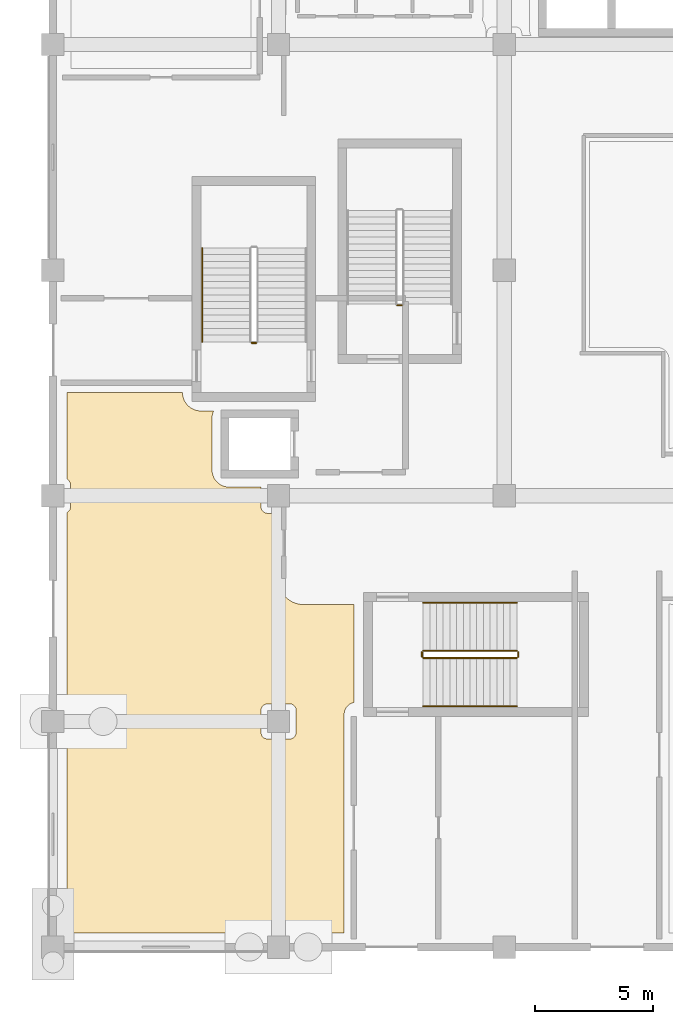
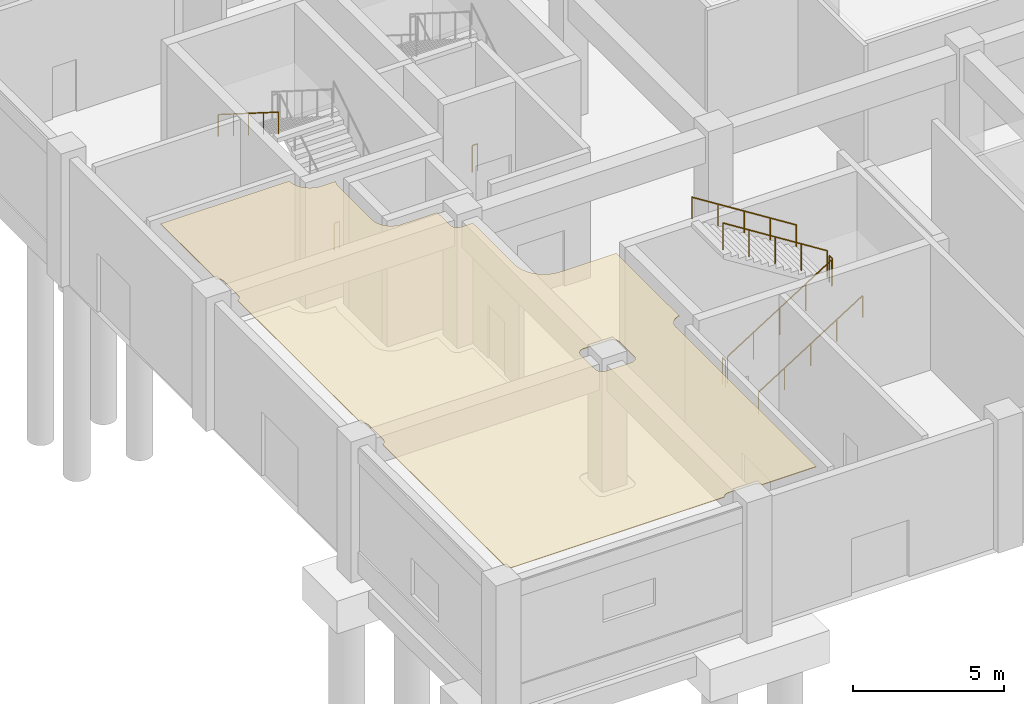
# One storey, part 44 of 74: 9 railings, 1 covering.
"""IFC4 building model written with IfcOpenShell, lengths in metres."""

from ifc_helpers import new_model, si_unit, direction, frame, origin, origin_2d, place, context, subcontext, project, spatial, polyline, circle, outline, extrude, material, layer, layer_set, type_object, element, save


model = new_model("IFC4")

# Units and contexts
model_context = context("Model", 3, precision=1e-05, world=origin(), true_north=direction((0.0, 1.0)))
body_context = subcontext(model_context, "Body", "Model", "MODEL_VIEW")
ifc_project = project(units=[si_unit("LENGTHUNIT", "METRE"), si_unit("AREAUNIT", "SQUARE_METRE"), si_unit("VOLUMEUNIT", "CUBIC_METRE"), si_unit("PLANEANGLEUNIT", "RADIAN"), si_unit("MASSUNIT", "GRAM", prefix="KILO")], contexts=[model_context])

# Site, building, storey
site_placement = place(None, origin())
site = spatial("IfcSite", under=ifc_project, at=site_placement, CompositionType="ELEMENT")
building_placement = place(site_placement, origin())
building = spatial("IfcBuilding", under=site, at=building_placement, Name="Cendralis Terraced Arcade", CompositionType="ELEMENT")
storey_placement = place(building_placement, origin())
storey = spatial("IfcBuildingStorey", under=building, at=storey_placement, Name="L00", CompositionType="ELEMENT", Elevation=0.0)

# Covering
ifc_material_1 = material(Name="Gypsum plasterboard acoustic partition")
ifc_layer = layer(ifc_material_1, 0.02490234375, Name="COV-CEIL-ACOU-25")
ifc_layer_set = layer_set([ifc_layer], Name="Gypsum plasterboard acoustic partition")
covering_type = type_object("IfcCoveringType", Name="COV-CEIL-ACOU-25", PredefinedType="CEILING", material=ifc_layer_set)
covering_placement = place(storey_placement, frame((0.0, 0.0, 5.06494140625)))
element("IfcCovering", 1, at=covering_placement, inside=storey, type_object=covering_type, Name="Acoustic Soffit Ceiling L00-028", PredefinedType="CEILING", context=body_context, shape_type="SweptSolid", body=[
    extrude(outline(polyline([(0.718505859375, 0.59130859375), (0.70703125, 0.613037109375), (0.7060546875, 0.614501953125), (0.6923828125, 0.635009765625), (0.69140625, 0.63671875), (0.67578125, 0.655517578125), (0.67431640625, 0.656982421875), (0.656982421875, 0.67431640625), (0.655517578125, 0.67578125), (0.63671875, 0.69140625), (0.635009765625, 0.6923828125), (0.614501953125, 0.7060546875), (0.613037109375, 0.70703125), (0.59130859375, 0.718505859375), (0.590087890625, 0.71923828125), (0.590087890625, 8.880615234375), (0.59130859375, 8.88134765625), (0.613037109375, 8.892822265625), (0.614501953125, 8.893798828125), (0.635009765625, 8.90771484375), (0.63671875, 8.90869140625), (0.655517578125, 8.92431640625), (0.656982421875, 8.925537109375), (0.67431640625, 8.943115234375), (0.67578125, 8.9443359375), (0.69140625, 8.96337890625), (0.6923828125, 8.965087890625), (0.7060546875, 8.9853515625), (0.70703125, 8.987060546875), (0.718505859375, 9.0087890625), (0.719482421875, 9.010498046875), (0.72900390625, 9.033203125), (0.7294921875, 9.034912109375), (0.736572265625, 9.058349609375), (0.737060546875, 9.060302734375), (0.741943359375, 9.08447265625), (0.7421875, 9.08642578125), (0.74462890625, 9.11083984375), (0.74462890625, 9.11279296875), (0.7451171875, 9.125), (0.7451171875, 10.074951171875), (0.74462890625, 10.08740234375), (0.74462890625, 10.089111328125), (0.7421875, 10.113525390625), (0.741943359375, 10.115478515625), (0.737060546875, 10.1396484375), (0.736572265625, 10.1416015625), (0.7294921875, 10.1650390625), (0.72900390625, 10.1669921875), (0.719482421875, 10.189453125), (0.718505859375, 10.19140625), (0.70703125, 10.212890625), (0.7060546875, 10.214599609375), (0.6923828125, 10.235107421875), (0.69140625, 10.236572265625), (0.67578125, 10.255615234375), (0.67431640625, 10.257080078125), (0.656982421875, 10.2744140625), (0.655517578125, 10.275634765625), (0.63671875, 10.291259765625), (0.635009765625, 10.29248046875), (0.614501953125, 10.30615234375), (0.613037109375, 10.30712890625), (0.59130859375, 10.318603515625), (0.590087890625, 10.3193359375), (0.590087890625, 18.480712890625), (0.59130859375, 18.4814453125), (0.613037109375, 18.492919921875), (0.614501953125, 18.493896484375), (0.635009765625, 18.507568359375), (0.63671875, 18.5087890625), (0.655517578125, 18.5244140625), (0.656982421875, 18.525634765625), (0.67431640625, 18.54296875), (0.67578125, 18.54443359375), (0.69140625, 18.5634765625), (0.6923828125, 18.56494140625), (0.7060546875, 18.58544921875), (0.70703125, 18.5869140625), (0.718505859375, 18.608642578125), (0.719482421875, 18.610595703125), (0.72900390625, 18.633056640625), (0.7294921875, 18.635009765625), (0.736572265625, 18.658447265625), (0.737060546875, 18.660400390625), (0.741943359375, 18.684326171875), (0.7421875, 18.686279296875), (0.74462890625, 18.710693359375), (0.74462890625, 18.712646484375), (0.7451171875, 18.72509765625), (0.7451171875, 19.675048828125), (0.74462890625, 19.687255859375), (0.74462890625, 19.689208984375), (0.7421875, 19.713623046875), (0.741943359375, 19.715576171875), (0.737060546875, 19.739501953125), (0.736572265625, 19.74169921875), (0.7294921875, 19.764892578125), (0.72900390625, 19.766845703125), (0.719482421875, 19.78955078125), (0.718505859375, 19.791259765625), (0.70703125, 19.81298828125), (0.7060546875, 19.814697265625), (0.6923828125, 19.8349609375), (0.69140625, 19.836669921875), (0.67578125, 19.855712890625), (0.67431640625, 19.85693359375), (0.656982421875, 19.87451171875), (0.655517578125, 19.875732421875), (0.63671875, 19.891357421875), (0.635009765625, 19.892333984375), (0.614501953125, 19.906005859375), (0.613037109375, 19.906982421875), (0.59130859375, 19.918701171875), (0.590087890625, 19.919189453125), (0.590087890625, 23.590087890625), (5.51025390625, 23.590087890625), (5.51025390625, 23.587890625), (5.510498046875, 23.581787109375), (5.512451171875, 23.540771484375), (5.513427734375, 23.5283203125), (5.514404296875, 23.5166015625), (5.51611328125, 23.50439453125), (5.522216796875, 23.4638671875), (5.524169921875, 23.45166015625), (5.526611328125, 23.440185546875), (5.529296875, 23.42822265625), (5.539306640625, 23.38818359375), (5.54248046875, 23.37646484375), (5.5458984375, 23.364990234375), (5.5498046875, 23.353515625), (5.563720703125, 23.314697265625), (5.568115234375, 23.30322265625), (5.572509765625, 23.292236328125), (5.577392578125, 23.281005859375), (5.59521484375, 23.243896484375), (5.6005859375, 23.23291015625), (5.606201171875, 23.222412109375), (5.6123046875, 23.2119140625), (5.63330078125, 23.176513671875), (5.639892578125, 23.166015625), (5.646484375, 23.15625), (5.653564453125, 23.146240234375), (5.677978515625, 23.113037109375), (5.685791015625, 23.103515625), (5.693115234375, 23.094482421875), (5.701171875, 23.085205078125), (5.72900390625, 23.054443359375), (5.7373046875, 23.045654296875), (5.74560546875, 23.037353515625), (5.75439453125, 23.02880859375), (5.78515625, 23.001220703125), (5.79443359375, 22.9931640625), (5.803466796875, 22.985595703125), (5.81298828125, 22.97802734375), (5.84619140625, 22.95361328125), (5.856201171875, 22.946533203125), (5.8662109375, 22.93994140625), (5.87646484375, 22.933349609375), (5.911865234375, 22.912109375), (5.922607421875, 22.90625), (5.932861328125, 22.900634765625), (5.94384765625, 22.89501953125), (5.981201171875, 22.87744140625), (5.9921875, 22.87255859375), (6.003173828125, 22.867919921875), (6.0146484375, 22.863525390625), (6.053466796875, 22.849609375), (6.065185546875, 22.845947265625), (6.076416015625, 22.84228515625), (6.088134765625, 22.839111328125), (6.128173828125, 22.8291015625), (6.14013671875, 22.826416015625), (6.151611328125, 22.82421875), (6.163818359375, 22.822021484375), (6.20458984375, 22.81591796875), (6.216796875, 22.814453125), (6.228515625, 22.8134765625), (6.24072265625, 22.8125), (6.28173828125, 22.810302734375), (6.2880859375, 22.810302734375), (6.2939453125, 22.81005859375), (6.300048828125, 22.81005859375), (6.839599609375, 22.81005859375), (6.8330078125, 22.7958984375), (6.827880859375, 22.78466796875), (6.823486328125, 22.77392578125), (6.819091796875, 22.762451171875), (6.80712890625, 22.729248046875), (6.80322265625, 22.717529296875), (6.7998046875, 22.706298828125), (6.796630859375, 22.6943359375), (6.7880859375, 22.66015625), (6.785400390625, 22.648193359375), (6.782958984375, 22.63671875), (6.781005859375, 22.62451171875), (6.775634765625, 22.589599609375), (6.774169921875, 22.577392578125), (6.773193359375, 22.565673828125), (6.772216796875, 22.553466796875), (6.7705078125, 22.518310546875), (6.770263671875, 22.511962890625), (6.77001953125, 22.506103515625), (6.77001953125, 22.5), (6.77001953125, 20.300048828125), (6.77001953125, 20.2939453125), (6.770263671875, 20.2880859375), (6.7705078125, 20.28173828125), (6.772216796875, 20.24658203125), (6.773193359375, 20.234375), (6.774169921875, 20.22265625), (6.775634765625, 20.21044921875), (6.781005859375, 20.175537109375), (6.782958984375, 20.163330078125), (6.785400390625, 20.15185546875), (6.7880859375, 20.139892578125), (6.796630859375, 20.105712890625), (6.7998046875, 20.09375), (6.80322265625, 20.08251953125), (6.80712890625, 20.07080078125), (6.819091796875, 20.03759765625), (6.823486328125, 20.026123046875), (6.827880859375, 20.015380859375), (6.8330078125, 20.00390625), (6.847900390625, 19.97216796875), (6.853515625, 19.961181640625), (6.859130859375, 19.95068359375), (6.864990234375, 19.940185546875), (6.88330078125, 19.909912109375), (6.889892578125, 19.8994140625), (6.896484375, 19.8896484375), (6.903564453125, 19.879638671875), (6.924560546875, 19.851318359375), (6.93212890625, 19.841552734375), (6.939453125, 19.83251953125), (6.947509765625, 19.822998046875), (6.97119140625, 19.797119140625), (6.979736328125, 19.7880859375), (6.988037109375, 19.77978515625), (6.9970703125, 19.771240234375), (7.023193359375, 19.74755859375), (7.032470703125, 19.739501953125), (7.04150390625, 19.732177734375), (7.05126953125, 19.724609375), (7.07958984375, 19.70361328125), (7.089599609375, 19.6962890625), (7.099365234375, 19.68994140625), (7.10986328125, 19.683349609375), (7.14013671875, 19.6650390625), (7.15087890625, 19.6591796875), (7.1611328125, 19.653564453125), (7.172119140625, 19.64794921875), (7.2041015625, 19.6328125), (7.21533203125, 19.6279296875), (7.22607421875, 19.623291015625), (7.237548828125, 19.618896484375), (7.270751953125, 19.607177734375), (7.282470703125, 19.603271484375), (7.293701171875, 19.599853515625), (7.3056640625, 19.5966796875), (7.33984375, 19.587890625), (7.351806640625, 19.585205078125), (7.36328125, 19.5830078125), (7.37548828125, 19.580810546875), (7.410400390625, 19.57568359375), (7.422607421875, 19.57421875), (7.434326171875, 19.572998046875), (7.446533203125, 19.572265625), (7.481689453125, 19.5703125), (7.488037109375, 19.5703125), (7.493896484375, 19.570068359375), (7.5, 19.570068359375), (8.85498046875, 19.570068359375), (8.85498046875, 18.72509765625), (8.855224609375, 18.712646484375), (8.85546875, 18.710693359375), (8.85791015625, 18.686279296875), (8.858154296875, 18.684326171875), (8.86279296875, 18.660400390625), (8.86328125, 18.658447265625), (8.87060546875, 18.635009765625), (8.87109375, 18.633056640625), (8.880615234375, 18.610595703125), (8.88134765625, 18.608642578125), (8.892822265625, 18.5869140625), (8.893798828125, 18.58544921875), (8.90771484375, 18.56494140625), (8.90869140625, 18.5634765625), (8.92431640625, 18.54443359375), (8.925537109375, 18.54296875), (8.943115234375, 18.525634765625), (8.9443359375, 18.5244140625), (8.96337890625, 18.5087890625), (8.965087890625, 18.507568359375), (8.9853515625, 18.493896484375), (8.987060546875, 18.492919921875), (9.0087890625, 18.4814453125), (9.010498046875, 18.48046875), (9.033203125, 18.47119140625), (9.034912109375, 18.470458984375), (9.058349609375, 18.46337890625), (9.060302734375, 18.462890625), (9.08447265625, 18.4580078125), (9.08642578125, 18.457763671875), (9.11083984375, 18.455322265625), (9.11279296875, 18.455322265625), (9.125, 18.455078125), (9.570068359375, 18.455078125), (9.570068359375, 15.679931640625), (9.570068359375, 15.677001953125), (9.570068359375, 15.674072265625), (9.570068359375, 15.6708984375), (9.5703125, 15.6650390625), (9.5703125, 15.662109375), (9.570556640625, 15.658935546875), (9.570556640625, 15.656005859375), (9.573486328125, 15.59521484375), (9.573974609375, 15.589111328125), (9.574462890625, 15.583251953125), (9.574951171875, 15.5771484375), (9.576171875, 15.5654296875), (9.57666015625, 15.559326171875), (9.577392578125, 15.553466796875), (9.578369140625, 15.54736328125), (9.587158203125, 15.487060546875), (9.588134765625, 15.481201171875), (9.589111328125, 15.475341796875), (9.59033203125, 15.46923828125), (9.592529296875, 15.457763671875), (9.593994140625, 15.45166015625), (9.59521484375, 15.446044921875), (9.5966796875, 15.43994140625), (9.611328125, 15.381103515625), (9.61279296875, 15.375), (9.614501953125, 15.369384765625), (9.6162109375, 15.363525390625), (9.61962890625, 15.352294921875), (9.62158203125, 15.34619140625), (9.623291015625, 15.3408203125), (9.625244140625, 15.3349609375), (9.645751953125, 15.277587890625), (9.64794921875, 15.27197265625), (9.650146484375, 15.266357421875), (9.65234375, 15.2607421875), (9.656982421875, 15.249755859375), (9.6591796875, 15.244140625), (9.66162109375, 15.23876953125), (9.664306640625, 15.233154296875), (9.690185546875, 15.17822265625), (9.69287109375, 15.172607421875), (9.695556640625, 15.16748046875), (9.698486328125, 15.162109375), (9.7041015625, 15.151611328125), (9.706787109375, 15.146240234375), (9.709716796875, 15.14111328125), (9.712890625, 15.1357421875), (9.744140625, 15.08349609375), (9.747314453125, 15.078369140625), (9.75048828125, 15.073486328125), (9.75390625, 15.068359375), (9.760498046875, 15.05859375), (9.763916015625, 15.053466796875), (9.767333984375, 15.048583984375), (9.77099609375, 15.043701171875), (9.80712890625, 14.994873046875), (9.810791015625, 14.989990234375), (9.814453125, 14.9853515625), (9.818359375, 14.98046875), (9.82568359375, 14.971435546875), (9.829833984375, 14.966796875), (9.83349609375, 14.962158203125), (9.837646484375, 14.95751953125), (9.87841796875, 14.91259765625), (9.8828125, 14.907958984375), (9.88671875, 14.90380859375), (9.89111328125, 14.8994140625), (9.8994140625, 14.89111328125), (9.90380859375, 14.88671875), (9.907958984375, 14.8828125), (9.91259765625, 14.87841796875), (9.95751953125, 14.837646484375), (9.962158203125, 14.83349609375), (9.966796875, 14.829833984375), (9.971435546875, 14.82568359375), (9.98046875, 14.818359375), (9.9853515625, 14.814453125), (9.989990234375, 14.810791015625), (9.994873046875, 14.80712890625), (10.043701171875, 14.77099609375), (10.048583984375, 14.767333984375), (10.053466796875, 14.763916015625), (10.05859375, 14.760498046875), (10.068359375, 14.75390625), (10.073486328125, 14.75048828125), (10.078369140625, 14.747314453125), (10.08349609375, 14.744140625), (10.1357421875, 14.712890625), (10.14111328125, 14.709716796875), (10.146240234375, 14.706787109375), (10.151611328125, 14.7041015625), (10.162109375, 14.698486328125), (10.16748046875, 14.695556640625), (10.172607421875, 14.69287109375), (10.17822265625, 14.690185546875), (10.233154296875, 14.664306640625), (10.23876953125, 14.66162109375), (10.244140625, 14.6591796875), (10.249755859375, 14.656982421875), (10.2607421875, 14.65234375), (10.266357421875, 14.650146484375), (10.27197265625, 14.64794921875), (10.277587890625, 14.645751953125), (10.3349609375, 14.625244140625), (10.3408203125, 14.623291015625), (10.34619140625, 14.62158203125), (10.352294921875, 14.61962890625), (10.363525390625, 14.6162109375), (10.369384765625, 14.614501953125), (10.375, 14.61279296875), (10.381103515625, 14.611328125), (10.43994140625, 14.5966796875), (10.446044921875, 14.59521484375), (10.45166015625, 14.593994140625), (10.457763671875, 14.592529296875), (10.46923828125, 14.59033203125), (10.475341796875, 14.589111328125), (10.481201171875, 14.588134765625), (10.487060546875, 14.587158203125), (10.54736328125, 14.578369140625), (10.553466796875, 14.577392578125), (10.559326171875, 14.57666015625), (10.5654296875, 14.576171875), (10.5771484375, 14.574951171875), (10.583251953125, 14.574462890625), (10.589111328125, 14.573974609375), (10.59521484375, 14.573486328125), (10.656005859375, 14.570556640625), (10.658935546875, 14.570556640625), (10.662109375, 14.5703125), (10.6650390625, 14.5703125), (10.6708984375, 14.570068359375), (10.674072265625, 14.570068359375), (10.677001953125, 14.570068359375), (10.679931640625, 14.570068359375), (12.81005859375, 14.570068359375), (12.81005859375, 10.40185546875), (12.806396484375, 10.401123046875), (12.794921875, 10.39892578125), (12.78271484375, 10.396240234375), (12.76953125, 10.392822265625), (12.757568359375, 10.3896484375), (12.746337890625, 10.38623046875), (12.734619140625, 10.38232421875), (12.7216796875, 10.377685546875), (12.710205078125, 10.373291015625), (12.699462890625, 10.368896484375), (12.688232421875, 10.36376953125), (12.67578125, 10.35791015625), (12.664794921875, 10.352294921875), (12.654541015625, 10.346923828125), (12.643798828125, 10.3408203125), (12.632080078125, 10.333740234375), (12.62158203125, 10.3271484375), (12.61181640625, 10.32080078125), (12.601806640625, 10.313720703125), (12.5908203125, 10.305419921875), (12.5810546875, 10.2978515625), (12.572021484375, 10.290283203125), (12.562744140625, 10.282470703125), (12.552490234375, 10.273193359375), (12.543701171875, 10.2646484375), (12.535400390625, 10.25634765625), (12.52685546875, 10.24755859375), (12.517578125, 10.2373046875), (12.509521484375, 10.22802734375), (12.502197265625, 10.218994140625), (12.49462890625, 10.209228515625), (12.486328125, 10.1982421875), (12.479248046875, 10.188232421875), (12.472900390625, 10.178466796875), (12.46630859375, 10.16796875), (12.459228515625, 10.15625), (12.453125, 10.1455078125), (12.447509765625, 10.13525390625), (12.442138671875, 10.124267578125), (12.436279296875, 10.11181640625), (12.43115234375, 10.1005859375), (12.4267578125, 10.089599609375), (12.42236328125, 10.078125), (12.417724609375, 10.065185546875), (12.413818359375, 10.0537109375), (12.410400390625, 10.04248046875), (12.406982421875, 10.030517578125), (12.40380859375, 10.01708984375), (12.401123046875, 10.005126953125), (12.398681640625, 9.99365234375), (12.396728515625, 9.981689453125), (12.394775390625, 9.968017578125), (12.393310546875, 9.955810546875), (12.39208984375, 9.944091796875), (12.39111328125, 9.931884765625), (12.390380859375, 9.918212890625), (12.39013671875, 9.912109375), (12.39013671875, 9.906005859375), (12.389892578125, 9.89990234375), (12.389892578125, 0.590087890625), (10.3193359375, 0.590087890625), (10.318603515625, 0.59130859375), (10.30712890625, 0.613037109375), (10.30615234375, 0.614501953125), (10.29248046875, 0.635009765625), (10.291259765625, 0.63671875), (10.275634765625, 0.655517578125), (10.2744140625, 0.656982421875), (10.257080078125, 0.67431640625), (10.255615234375, 0.67578125), (10.236572265625, 0.69140625), (10.235107421875, 0.6923828125), (10.214599609375, 0.7060546875), (10.212890625, 0.70703125), (10.19140625, 0.718505859375), (10.189453125, 0.719482421875), (10.1669921875, 0.72900390625), (10.1650390625, 0.7294921875), (10.1416015625, 0.736572265625), (10.1396484375, 0.737060546875), (10.115478515625, 0.741943359375), (10.113525390625, 0.7421875), (10.089111328125, 0.74462890625), (10.08740234375, 0.74462890625), (10.074951171875, 0.7451171875), (9.125, 0.7451171875), (9.11279296875, 0.74462890625), (9.11083984375, 0.74462890625), (9.08642578125, 0.7421875), (9.08447265625, 0.741943359375), (9.060302734375, 0.737060546875), (9.058349609375, 0.736572265625), (9.034912109375, 0.7294921875), (9.033203125, 0.72900390625), (9.010498046875, 0.719482421875), (9.0087890625, 0.718505859375), (8.987060546875, 0.70703125), (8.9853515625, 0.7060546875), (8.965087890625, 0.6923828125), (8.96337890625, 0.69140625), (8.9443359375, 0.67578125), (8.943115234375, 0.67431640625), (8.925537109375, 0.656982421875), (8.92431640625, 0.655517578125), (8.90869140625, 0.63671875), (8.90771484375, 0.635009765625), (8.893798828125, 0.614501953125), (8.892822265625, 0.613037109375), (8.88134765625, 0.59130859375), (8.880615234375, 0.590087890625), (0.71923828125, 0.590087890625), (0.718505859375, 0.59130859375)]), holes=[polyline([(8.9853515625, 8.893798828125), (8.987060546875, 8.892822265625), (9.0087890625, 8.88134765625), (9.010498046875, 8.880615234375), (9.033203125, 8.87109375), (9.034912109375, 8.87060546875), (9.058349609375, 8.86328125), (9.060302734375, 8.86279296875), (9.08447265625, 8.858154296875), (9.08642578125, 8.85791015625), (9.11083984375, 8.85546875), (9.11279296875, 8.855224609375), (9.125, 8.85498046875), (10.074951171875, 8.85498046875), (10.08740234375, 8.855224609375), (10.089111328125, 8.85546875), (10.113525390625, 8.85791015625), (10.115478515625, 8.858154296875), (10.1396484375, 8.86279296875), (10.1416015625, 8.86328125), (10.1650390625, 8.87060546875), (10.1669921875, 8.87109375), (10.189453125, 8.880615234375), (10.19140625, 8.88134765625), (10.212890625, 8.892822265625), (10.214599609375, 8.893798828125), (10.235107421875, 8.90771484375), (10.236572265625, 8.90869140625), (10.255615234375, 8.92431640625), (10.257080078125, 8.925537109375), (10.2744140625, 8.943115234375), (10.275634765625, 8.9443359375), (10.291259765625, 8.96337890625), (10.29248046875, 8.965087890625), (10.30615234375, 8.9853515625), (10.30712890625, 8.987060546875), (10.318603515625, 9.0087890625), (10.319580078125, 9.010498046875), (10.328857421875, 9.033203125), (10.32958984375, 9.034912109375), (10.336669921875, 9.058349609375), (10.337158203125, 9.060302734375), (10.341796875, 9.08447265625), (10.34228515625, 9.08642578125), (10.344482421875, 9.11083984375), (10.3447265625, 9.11279296875), (10.344970703125, 9.125), (10.344970703125, 10.074951171875), (10.3447265625, 10.08740234375), (10.344482421875, 10.089111328125), (10.34228515625, 10.113525390625), (10.341796875, 10.115478515625), (10.337158203125, 10.1396484375), (10.336669921875, 10.1416015625), (10.32958984375, 10.1650390625), (10.328857421875, 10.1669921875), (10.319580078125, 10.189453125), (10.318603515625, 10.19140625), (10.30712890625, 10.212890625), (10.30615234375, 10.214599609375), (10.29248046875, 10.235107421875), (10.291259765625, 10.236572265625), (10.275634765625, 10.255615234375), (10.2744140625, 10.257080078125), (10.257080078125, 10.2744140625), (10.255615234375, 10.275634765625), (10.236572265625, 10.291259765625), (10.235107421875, 10.29248046875), (10.214599609375, 10.30615234375), (10.212890625, 10.30712890625), (10.19140625, 10.318603515625), (10.189453125, 10.319580078125), (10.1669921875, 10.328857421875), (10.1650390625, 10.32958984375), (10.1416015625, 10.336669921875), (10.1396484375, 10.337158203125), (10.115478515625, 10.341796875), (10.113525390625, 10.34228515625), (10.089111328125, 10.344482421875), (10.08740234375, 10.3447265625), (10.074951171875, 10.344970703125), (9.125, 10.344970703125), (9.11279296875, 10.3447265625), (9.11083984375, 10.344482421875), (9.08642578125, 10.34228515625), (9.08447265625, 10.341796875), (9.060302734375, 10.337158203125), (9.058349609375, 10.336669921875), (9.034912109375, 10.32958984375), (9.033203125, 10.328857421875), (9.010498046875, 10.319580078125), (9.0087890625, 10.318603515625), (8.987060546875, 10.30712890625), (8.9853515625, 10.30615234375), (8.965087890625, 10.29248046875), (8.96337890625, 10.291259765625), (8.9443359375, 10.275634765625), (8.943115234375, 10.2744140625), (8.925537109375, 10.257080078125), (8.92431640625, 10.255615234375), (8.90869140625, 10.236572265625), (8.90771484375, 10.235107421875), (8.893798828125, 10.214599609375), (8.892822265625, 10.212890625), (8.88134765625, 10.19140625), (8.880615234375, 10.189453125), (8.87109375, 10.1669921875), (8.87060546875, 10.1650390625), (8.86328125, 10.1416015625), (8.86279296875, 10.1396484375), (8.858154296875, 10.115478515625), (8.85791015625, 10.113525390625), (8.85546875, 10.089111328125), (8.855224609375, 10.08740234375), (8.85498046875, 10.074951171875), (8.85498046875, 9.125), (8.855224609375, 9.11279296875), (8.85546875, 9.11083984375), (8.85791015625, 9.08642578125), (8.858154296875, 9.08447265625), (8.86279296875, 9.060302734375), (8.86328125, 9.058349609375), (8.87060546875, 9.034912109375), (8.87109375, 9.033203125), (8.880615234375, 9.010498046875), (8.88134765625, 9.0087890625), (8.892822265625, 8.987060546875), (8.893798828125, 8.9853515625), (8.90771484375, 8.965087890625), (8.90869140625, 8.96337890625), (8.92431640625, 8.9443359375), (8.925537109375, 8.943115234375), (8.943115234375, 8.925537109375), (8.9443359375, 8.92431640625), (8.96337890625, 8.90869140625), (8.965087890625, 8.90771484375), (8.9853515625, 8.893798828125)])]), origin(), (0.0, 0.0, 1.0), 0.025146484375),
])

# Railings
ifc_material_2 = material(Name="Brushed stainless steel AISI 316", Category="steel")
railing_type_1 = type_object("IfcRailingType", Name="RL-STAIR-GUARD-1100", PredefinedType="GUARDRAIL", material=ifc_material_2)
railing_1_placement = place(storey_placement, frame((8.64990234375, 25.699951171875, 0.0)))
element("IfcRailing", 2, at=railing_1_placement, inside=storey, type_object=railing_type_1, Name="L00 ST-01 stair guard 4", PredefinedType="GUARDRAIL", context=body_context, shape_type="SweptSolid", body=[
    extrude(circle(Radius=0.02392578125, at=origin_2d()), frame((0.0, 0.0, 1.076171875), z_axis=(-1.0, 0.0, 0.0), x_axis=(0.0, -1.0, 0.0)), (0.0, 0.0, 1.0), 0.199951171875),
    extrude(circle(Radius=0.02099609375, at=origin_2d()), origin(), (0.0, 0.0, 1.0), 1.052001953125),
    extrude(circle(Radius=0.02099609375, at=origin_2d()), frame((-0.199951171875, 0.0, 0.0)), (0.0, 0.0, 1.0), 1.052001953125),
])
railing_2_placement = place(storey_placement, frame((15.75, 12.300048828125, 0.179931640625)))
element("IfcRailing", 3, at=railing_2_placement, inside=storey, type_object=railing_type_1, Name="L00 ST-02 stair guard 1", PredefinedType="GUARDRAIL", context=body_context, shape_type="SweptSolid", body=[
    extrude(circle(Radius=0.02392578125, at=origin_2d()), frame((0.0, 0.0, 1.076171875), z_axis=(0.845486444383, 0.0, 0.533996884227), x_axis=(0.0, 1.0, 0.0)), (0.0, 0.0, 1.0), 4.71923828125),
    extrude(circle(Radius=0.02099609375, at=origin_2d()), origin(), (0.0, 0.0, 1.0), 1.052001953125),
    extrude(circle(Radius=0.02099609375, at=origin_2d()), frame((0.99755859375, 0.0, 0.6298828125)), (0.0, 0.0, 1.0), 1.052001953125),
    extrude(circle(Radius=0.02099609375, at=origin_2d()), frame((1.9951171875, 0.0, 1.260009765625)), (0.0, 0.0, 1.0), 1.052001953125),
    extrude(circle(Radius=0.02099609375, at=origin_2d()), frame((2.992431640625, 0.0, 1.89013671875)), (0.0, 0.0, 1.0), 1.052001953125),
    extrude(circle(Radius=0.02099609375, at=origin_2d()), frame((3.989990234375, 0.0, 2.52001953125)), (0.0, 0.0, 1.0), 1.052001953125),
])
railing_3_placement = place(storey_placement, frame((19.7900390625, 12.35009765625, 2.699951171875)))
element("IfcRailing", 4, at=railing_3_placement, inside=storey, type_object=railing_type_1, Name="L00 ST-02 stair guard 2", PredefinedType="GUARDRAIL", context=body_context, shape_type="SweptSolid", body=[
    extrude(circle(Radius=0.02392578125, at=origin_2d()), frame((0.0, 0.0, 1.076171875), z_axis=(0.0, 1.0, 0.0), x_axis=(-1.0, 0.0, 0.0)), (0.0, 0.0, 1.0), 0.199951171875),
    extrude(circle(Radius=0.02099609375, at=origin_2d()), origin(), (0.0, 0.0, 1.0), 1.052001953125),
    extrude(circle(Radius=0.02099609375, at=origin_2d()), frame((0.0, 0.199951171875, 0.0)), (0.0, 0.0, 1.0), 1.052001953125),
])
railing_4_placement = place(storey_placement, frame((19.739990234375, 12.60009765625, 2.8798828125)))
element("IfcRailing", 5, at=railing_4_placement, inside=storey, type_object=railing_type_1, Name="L00 ST-02 stair guard 3", PredefinedType="GUARDRAIL", context=body_context, shape_type="SweptSolid", body=[
    extrude(circle(Radius=0.02392578125, at=origin_2d()), frame((0.0, 0.0, 1.076171875), z_axis=(-0.845486444383, 0.0, 0.533996884227), x_axis=(0.0, -1.0, 0.0)), (0.0, 0.0, 1.0), 4.71923828125),
    extrude(circle(Radius=0.02099609375, at=origin_2d()), origin(), (0.0, 0.0, 1.0), 1.052001953125),
    extrude(circle(Radius=0.02099609375, at=origin_2d()), frame((-0.99755859375, 0.0, 0.6298828125)), (0.0, 0.0, 1.0), 1.052001953125),
    extrude(circle(Radius=0.02099609375, at=origin_2d()), frame((-1.9951171875, 0.0, 1.260009765625)), (0.0, 0.0, 1.0), 1.052001953125),
    extrude(circle(Radius=0.02099609375, at=origin_2d()), frame((-2.992431640625, 0.0, 1.89013671875)), (0.0, 0.0, 1.0), 1.052001953125),
    extrude(circle(Radius=0.02099609375, at=origin_2d()), frame((-3.989990234375, 0.0, 2.52001953125)), (0.0, 0.0, 1.0), 1.052001953125),
])
railing_5_placement = place(storey_placement, frame((15.699951171875, 12.35009765625, 0.0)))
element("IfcRailing", 6, at=railing_5_placement, inside=storey, type_object=railing_type_1, Name="L00 ST-02 stair guard 4", PredefinedType="GUARDRAIL", context=body_context, shape_type="SweptSolid", body=[
    extrude(circle(Radius=0.02392578125, at=origin_2d()), frame((0.0, 0.0, 1.076171875), z_axis=(0.0, 1.0, 0.0), x_axis=(-1.0, 0.0, 0.0)), (0.0, 0.0, 1.0), 0.199951171875),
    extrude(circle(Radius=0.02099609375, at=origin_2d()), origin(), (0.0, 0.0, 1.0), 1.052001953125),
    extrude(circle(Radius=0.02099609375, at=origin_2d()), frame((0.0, 0.199951171875, 0.0)), (0.0, 0.0, 1.0), 1.052001953125),
])
railing_6_placement = place(storey_placement, frame((14.85009765625, 27.300048828125, 0.0)))
element("IfcRailing", 7, at=railing_6_placement, inside=storey, type_object=railing_type_1, Name="L00 ST-05 stair guard 4", PredefinedType="GUARDRAIL", context=body_context, shape_type="SweptSolid", body=[
    extrude(circle(Radius=0.02392578125, at=origin_2d()), frame((0.0, 0.0, 1.076171875), z_axis=(-1.0, 0.0, 0.0), x_axis=(0.0, -1.0, 0.0)), (0.0, 0.0, 1.0), 0.2001953125),
    extrude(circle(Radius=0.02099609375, at=origin_2d()), origin(), (0.0, 0.0, 1.0), 1.052001953125),
    extrude(circle(Radius=0.02099609375, at=origin_2d()), frame((-0.2001953125, 0.0, 0.0)), (0.0, 0.0, 1.0), 1.052001953125),
])
railing_type_2 = type_object("IfcRailingType", Name="RL-STAIR-HAND-900", PredefinedType="HANDRAIL", material=ifc_material_2)
railing_7_placement = place(storey_placement, frame((6.35009765625, 29.739990234375, 2.8798828125)))
element("IfcRailing", 8, at=railing_7_placement, inside=storey, type_object=railing_type_2, Name="L00 ST-01 stair handrail 2", PredefinedType="HANDRAIL", context=body_context, shape_type="SweptSolid", body=[
    extrude(circle(Radius=0.02392578125, at=origin_2d()), frame((0.0, 0.0, 0.8759765625), z_axis=(0.0, -0.845486444383, 0.533996884227), x_axis=(1.0, 0.0, 0.0)), (0.0, 0.0, 1.0), 4.71923828125),
    extrude(circle(Radius=0.02099609375, at=origin_2d()), origin(), (0.0, 0.0, 1.0), 0.851806640625),
    extrude(circle(Radius=0.02099609375, at=origin_2d()), frame((0.0, -0.99755859375, 0.6298828125)), (0.0, 0.0, 1.0), 0.851806640625),
    extrude(circle(Radius=0.02099609375, at=origin_2d()), frame((0.0, -1.9951171875, 1.260009765625)), (0.0, 0.0, 1.0), 0.851806640625),
    extrude(circle(Radius=0.02099609375, at=origin_2d()), frame((0.0, -2.992431640625, 1.89013671875)), (0.0, 0.0, 1.0), 0.851806640625),
    extrude(circle(Radius=0.02099609375, at=origin_2d()), frame((0.0, -3.989990234375, 2.52001953125)), (0.0, 0.0, 1.0), 0.851806640625),
])
railing_8_placement = place(storey_placement, frame((15.75, 10.25, 0.179931640625)))
element("IfcRailing", 9, at=railing_8_placement, inside=storey, type_object=railing_type_2, Name="L00 ST-02 stair handrail 1", PredefinedType="HANDRAIL", context=body_context, shape_type="SweptSolid", body=[
    extrude(circle(Radius=0.02392578125, at=origin_2d()), frame((0.0, 0.0, 0.8759765625), z_axis=(0.845486444383, 0.0, 0.533996884227), x_axis=(0.0, 1.0, 0.0)), (0.0, 0.0, 1.0), 4.71923828125),
    extrude(circle(Radius=0.02099609375, at=origin_2d()), origin(), (0.0, 0.0, 1.0), 0.851806640625),
    extrude(circle(Radius=0.02099609375, at=origin_2d()), frame((0.99755859375, 0.0, 0.6298828125)), (0.0, 0.0, 1.0), 0.851806640625),
    extrude(circle(Radius=0.02099609375, at=origin_2d()), frame((1.9951171875, 0.0, 1.260009765625)), (0.0, 0.0, 1.0), 0.851806640625),
    extrude(circle(Radius=0.02099609375, at=origin_2d()), frame((2.992431640625, 0.0, 1.89013671875)), (0.0, 0.0, 1.0), 0.851806640625),
    extrude(circle(Radius=0.02099609375, at=origin_2d()), frame((3.989990234375, 0.0, 2.52001953125)), (0.0, 0.0, 1.0), 0.851806640625),
])
railing_9_placement = place(storey_placement, frame((19.739990234375, 14.64990234375, 2.8798828125)))
element("IfcRailing", 10, at=railing_9_placement, inside=storey, type_object=railing_type_2, Name="L00 ST-02 stair handrail 2", PredefinedType="HANDRAIL", context=body_context, shape_type="SweptSolid", body=[
    extrude(circle(Radius=0.02392578125, at=origin_2d()), frame((0.0, 0.0, 0.8759765625), z_axis=(-0.845486444383, 0.0, 0.533996884227), x_axis=(0.0, -1.0, 0.0)), (0.0, 0.0, 1.0), 4.71923828125),
    extrude(circle(Radius=0.02099609375, at=origin_2d()), origin(), (0.0, 0.0, 1.0), 0.851806640625),
    extrude(circle(Radius=0.02099609375, at=origin_2d()), frame((-0.99755859375, 0.0, 0.6298828125)), (0.0, 0.0, 1.0), 0.851806640625),
    extrude(circle(Radius=0.02099609375, at=origin_2d()), frame((-1.9951171875, 0.0, 1.260009765625)), (0.0, 0.0, 1.0), 0.851806640625),
    extrude(circle(Radius=0.02099609375, at=origin_2d()), frame((-2.992431640625, 0.0, 1.89013671875)), (0.0, 0.0, 1.0), 0.851806640625),
    extrude(circle(Radius=0.02099609375, at=origin_2d()), frame((-3.989990234375, 0.0, 2.52001953125)), (0.0, 0.0, 1.0), 0.851806640625),
])

save(model, "model.ifc")
